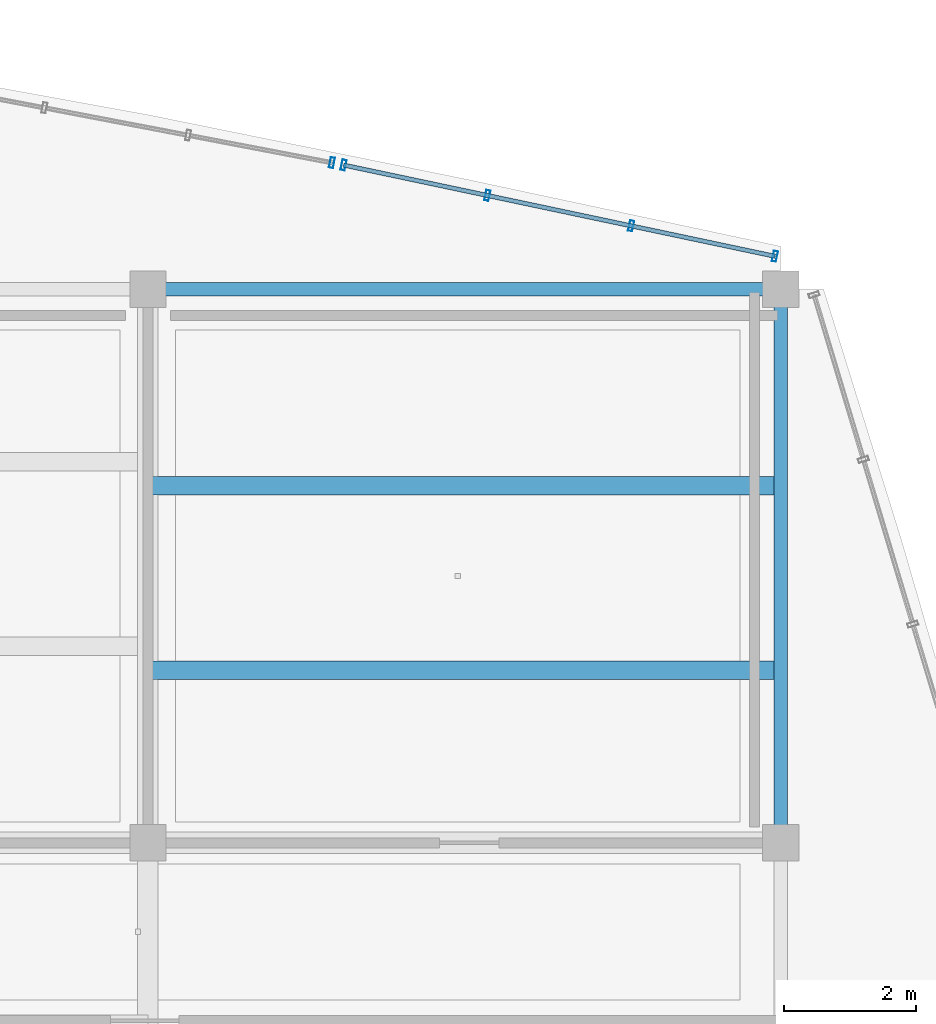
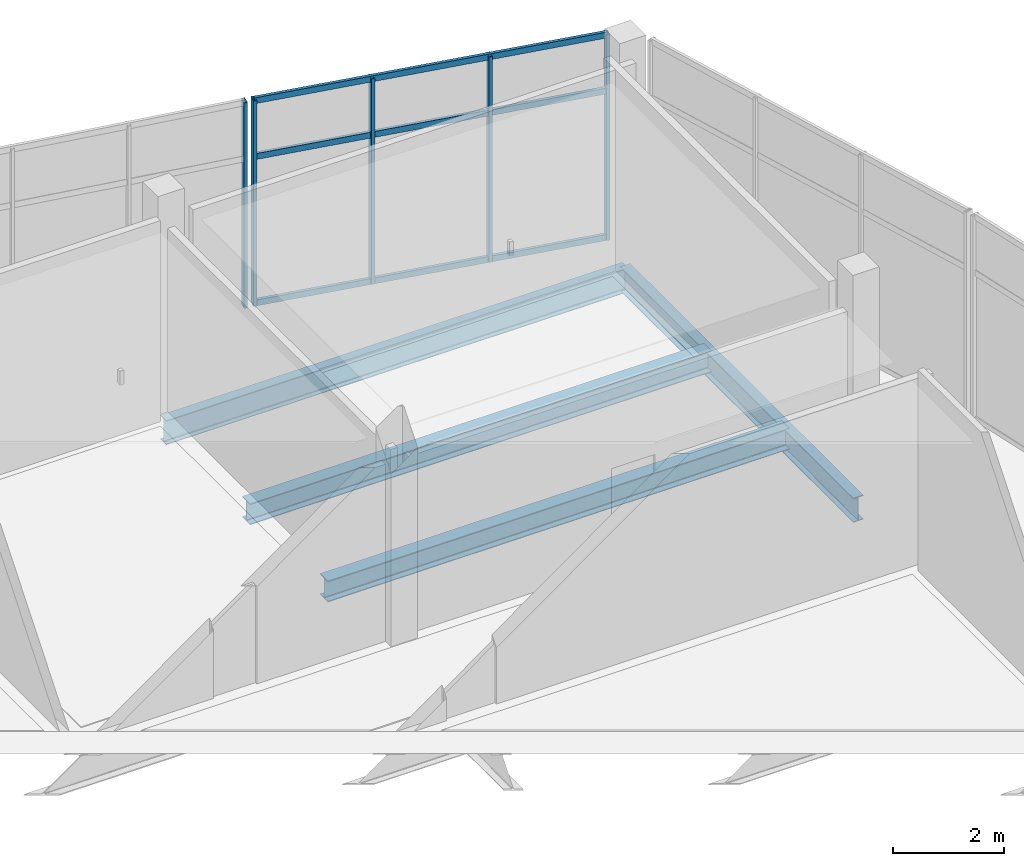
# One storey, part 105 of 157: 8 members, 4 beams, 2 elements without a shape of their own.
"""IFC4 building model written with IfcOpenShell, lengths in metres."""

from ifc_helpers import new_model, si_unit, direction, frame, origin, origin_2d, place, context, subcontext, project, spatial, hollow_rectangle, i_section, extrude, material, layer, layer_set, material_profile, profile_set, type_object, element, aggregate, save


model = new_model("IFC4")

# Units and contexts
model_context = context("Model", 3, precision=1e-05, world=origin(), true_north=direction((0.0, 1.0)))
body_context = subcontext(model_context, "Body", "Model", "MODEL_VIEW")
ifc_project = project(units=[si_unit("LENGTHUNIT", "METRE"), si_unit("AREAUNIT", "SQUARE_METRE"), si_unit("VOLUMEUNIT", "CUBIC_METRE"), si_unit("PLANEANGLEUNIT", "RADIAN"), si_unit("MASSUNIT", "GRAM", prefix="KILO")], contexts=[model_context])

# Site, building, storey
site_placement = place(None, origin())
site = spatial("IfcSite", under=ifc_project, at=site_placement, CompositionType="ELEMENT")
building_placement = place(site_placement, origin())
building = spatial("IfcBuilding", under=site, at=building_placement, Name="Chalmorin Arch Market", CompositionType="ELEMENT")
storey_placement = place(building_placement, frame((0.0, 0.0, 4.800048828125)))
storey = spatial("IfcBuildingStorey", under=building, at=storey_placement, Name="L01", CompositionType="ELEMENT", Elevation=4.800048828125)

# Curtain wall, member
ifc_material_1 = material(Name="Aluminium 6063-T6", Category="aluminium")
ifc_layer_1 = layer(ifc_material_1, 0.159912109375)
ifc_layer_set_1 = layer_set([ifc_layer_1], Name="Aluminium 6063-T6")
curtain_wall_type_1 = type_object("IfcCurtainWallType", Name="CulinaryStudioCurtainWall-CW3-6660x4520", PredefinedType="NOTDEFINED", material=ifc_layer_set_1)
curtain_wall_1_placement = place(storey_placement, origin())
curtain_wall_1 = element("IfcCurtainWall", 1, at=curtain_wall_1_placement, inside=storey, type_object=curtain_wall_type_1, Name="CW-03-145", PredefinedType="NOTDEFINED")
ifc_material_profile_1 = material_profile(ifc_material_1, hollow_rectangle(XDim=0.06494140625, YDim=0.159912109375, WallThickness=0.00390625, at=origin_2d()), Name="ALU65X160X4")
ifc_profile_set_1 = profile_set([ifc_material_profile_1], Name="Aluminium 6063-T6")
member_type_1 = type_object("IfcMemberType", Name="CurtainWallMullion-65x160", PredefinedType="MULLION", material=ifc_profile_set_1)
member_1_placement = place(storey_placement, frame((108.3916015625, 119.91796875, 0.0), z_axis=(0.0, 0.0, 1.0), x_axis=(0.981627183448, -0.190808995377, 0.0)))
member_1 = element("IfcMember", 2, at=member_1_placement, type_object=member_type_1, Name="ML-145-04", PredefinedType="MULLION", context=body_context, shape_type="SweptSolid", body=[
    extrude(hollow_rectangle(XDim=0.06494140625, YDim=0.159912109375, WallThickness=0.00390625, at=origin_2d()), origin(), (0.0, 0.0, 1.0), 4.52001953125),
])
aggregate(curtain_wall_1, [member_1])

# Curtain wall, members
ifc_layer_2 = layer(ifc_material_1, 0.159912109375)
ifc_layer_set_2 = layer_set([ifc_layer_2], Name="Aluminium 6063-T6")
curtain_wall_type_2 = type_object("IfcCurtainWallType", Name="CulinaryStudioCurtainWall-CW3-6690x4520", PredefinedType="NOTDEFINED", material=ifc_layer_set_2)
curtain_wall_2_placement = place(storey_placement, origin())
curtain_wall_2 = element("IfcCurtainWall", 3, at=curtain_wall_2_placement, inside=storey, type_object=curtain_wall_type_2, Name="CW-03-148", PredefinedType="NOTDEFINED")
member_2_placement = place(storey_placement, frame((108.568115234375, 119.88232421875, 0.0), z_axis=(0.0, 0.0, 1.0), x_axis=(0.978147600734, -0.207911690818, 0.0)))
member_2 = element("IfcMember", 4, at=member_2_placement, type_object=member_type_1, Name="ML-148-01", PredefinedType="MULLION", context=body_context, shape_type="SweptSolid", body=[
    extrude(hollow_rectangle(XDim=0.06494140625, YDim=0.159912109375, WallThickness=0.00390625, at=origin_2d()), origin(), (0.0, 0.0, 1.0), 4.52001953125),
])
member_3_placement = place(storey_placement, frame((110.74951171875, 119.421142578125, 0.0), z_axis=(0.0, 0.0, 1.0), x_axis=(0.978147600734, -0.207911690818, 0.0)))
member_3 = element("IfcMember", 5, at=member_3_placement, type_object=member_type_1, Name="ML-148-02", PredefinedType="MULLION", context=body_context, shape_type="SweptSolid", body=[
    extrude(hollow_rectangle(XDim=0.06494140625, YDim=0.159912109375, WallThickness=0.00390625, at=origin_2d()), origin(), (0.0, 0.0, 1.0), 4.52001953125),
])
member_4_placement = place(storey_placement, frame((112.9306640625, 118.9599609375, 0.0), z_axis=(0.0, 0.0, 1.0), x_axis=(0.978147600734, -0.207911690818, 0.0)))
member_4 = element("IfcMember", 6, at=member_4_placement, type_object=member_type_1, Name="ML-148-03", PredefinedType="MULLION", context=body_context, shape_type="SweptSolid", body=[
    extrude(hollow_rectangle(XDim=0.06494140625, YDim=0.159912109375, WallThickness=0.00390625, at=origin_2d()), origin(), (0.0, 0.0, 1.0), 4.52001953125),
])
member_5_placement = place(storey_placement, frame((115.11181640625, 118.49853515625, 0.0), z_axis=(0.0, 0.0, 1.0), x_axis=(0.978147600734, -0.207911690818, 0.0)))
member_5 = element("IfcMember", 7, at=member_5_placement, type_object=member_type_1, Name="ML-148-04", PredefinedType="MULLION", context=body_context, shape_type="SweptSolid", body=[
    extrude(hollow_rectangle(XDim=0.06494140625, YDim=0.159912109375, WallThickness=0.00390625, at=origin_2d()), origin(), (0.0, 0.0, 1.0), 4.52001953125),
])
ifc_material_profile_2 = material_profile(ifc_material_1, hollow_rectangle(XDim=0.06494140625, YDim=0.1298828125, WallThickness=0.00390625, at=origin_2d()), Name="ALU65X130X4")
ifc_profile_set_2 = profile_set([ifc_material_profile_2], Name="Aluminium 6063-T6")
member_type_2 = type_object("IfcMemberType", Name="CurtainWallTransom-65x130", PredefinedType="USERDEFINED", material=ifc_profile_set_2)
member_6_placement = place(storey_placement, frame((108.568115234375, 119.88232421875, 0.034912109375), z_axis=(0.978363487727, -0.206893416723, 0.0), x_axis=(0.206893416723, 0.978363487727, 0.0)))
member_6 = element("IfcMember", 8, at=member_6_placement, type_object=member_type_2, Name="TR-148-01", ObjectType="TRANSOM", PredefinedType="USERDEFINED", context=body_context, shape_type="SweptSolid", body=[
    extrude(hollow_rectangle(XDim=0.06494140625, YDim=0.1298828125, WallThickness=0.00390625, at=origin_2d()), origin(), (0.0, 0.0, 1.0), 6.6884765625),
])
member_7_placement = place(storey_placement, frame((108.568115234375, 119.88232421875, 3.25439453125), z_axis=(0.978363487727, -0.206893416723, 0.0), x_axis=(0.206893416723, 0.978363487727, 0.0)))
member_7 = element("IfcMember", 9, at=member_7_placement, type_object=member_type_2, Name="TR-148-02", ObjectType="TRANSOM", PredefinedType="USERDEFINED", context=body_context, shape_type="SweptSolid", body=[
    extrude(hollow_rectangle(XDim=0.06494140625, YDim=0.1298828125, WallThickness=0.00390625, at=origin_2d()), origin(), (0.0, 0.0, 1.0), 6.6884765625),
])
member_8_placement = place(storey_placement, frame((108.568115234375, 119.88232421875, 4.48486328125), z_axis=(0.978363487727, -0.206893416723, 0.0), x_axis=(0.206893416723, 0.978363487727, 0.0)))
member_8 = element("IfcMember", 10, at=member_8_placement, type_object=member_type_2, Name="TR-148-03", ObjectType="TRANSOM", PredefinedType="USERDEFINED", context=body_context, shape_type="SweptSolid", body=[
    extrude(hollow_rectangle(XDim=0.06494140625, YDim=0.1298828125, WallThickness=0.00390625, at=origin_2d()), origin(), (0.0, 0.0, 1.0), 6.6884765625),
])
aggregate(curtain_wall_2, [member_2, member_3, member_4, member_5, member_6, member_7, member_8])

# Beams
ifc_material_2 = material(Name="Steel A992 Grade 50", Category="steel")
ifc_material_profile_3 = material_profile(ifc_material_2, i_section(OverallWidth=0.208984375, OverallDepth=0.532958984375, WebThickness=0.01025390625, FlangeThickness=0.015625, FilletRadius=0.02197265625, at=origin_2d()), Name="W21X62")
ifc_profile_set_3 = profile_set([ifc_material_profile_3], Name="Steel A992 Grade 50")
beam_type_1 = type_object("IfcBeamType", Name="PerimeterSpandrelBeam-W21X62", PredefinedType="SPANDREL", material=ifc_profile_set_3)
beam_1_placement = place(storey_placement, frame((105.60009765625, 118.0, -0.588623046875), z_axis=(1.0, 0.0, 0.0), x_axis=(0.0, 1.0, 0.0)))
element("IfcBeam", 11, at=beam_1_placement, inside=storey, type_object=beam_type_1, Name="SP-W21-0958", PredefinedType="SPANDREL", context=body_context, shape_type="SweptSolid", body=[
    extrude(i_section(OverallWidth=0.208984375, OverallDepth=0.532958984375, WebThickness=0.01025390625, FlangeThickness=0.015625, FilletRadius=0.02197265625, at=origin_2d()), origin(), (0.0, 0.0, 1.0), 9.599853515625),
])
beam_2_placement = place(storey_placement, frame((115.199951171875, 109.60009765625, -0.588623046875), z_axis=(0.0, 1.0, 0.0), x_axis=(-1.0, 0.0, 0.0)))
element("IfcBeam", 12, at=beam_2_placement, inside=storey, type_object=beam_type_1, Name="SP-W21-0959", PredefinedType="SPANDREL", context=body_context, shape_type="SweptSolid", body=[
    extrude(i_section(OverallWidth=0.208984375, OverallDepth=0.532958984375, WebThickness=0.01025390625, FlangeThickness=0.015625, FilletRadius=0.02197265625, at=origin_2d()), origin(), (0.0, 0.0, 1.0), 8.39990234375),
])
ifc_material_profile_4 = material_profile(ifc_material_2, i_section(OverallWidth=0.280029296875, OverallDepth=0.462890625, WebThickness=0.0107421875, FlangeThickness=0.017333984375, FilletRadius=0.02001953125, at=origin_2d()), Name="W18X76")
ifc_profile_set_4 = profile_set([ifc_material_profile_4], Name="Steel A992 Grade 50")
beam_type_2 = type_object("IfcBeamType", Name="WorkshopSteelBeam-W18X76", PredefinedType="BEAM", material=ifc_profile_set_4)
for number, where, z_axis, x_axis, name in (
    (13, (105.60009765625, 112.219970703125, -0.553466796875), (1.0, 0.0, 0.0), (0.0, 1.0, 0.0), "BM-W18C-1022"),
    (14, (105.60009765625, 115.02001953125, -0.553466796875), (1.0, 0.0, 0.0), (0.0, 1.0, 0.0), "BM-W18C-1023"),
):
    element("IfcBeam", number, at=place(storey_placement, frame(where, z_axis=z_axis, x_axis=x_axis)), inside=storey, type_object=beam_type_2, Name=name, PredefinedType="BEAM", context=body_context, shape_type="SweptSolid", body=[
        extrude(i_section(OverallWidth=0.280029296875, OverallDepth=0.462890625, WebThickness=0.0107421875, FlangeThickness=0.017333984375, FilletRadius=0.02001953125, at=origin_2d()), origin(), (0.0, 0.0, 1.0), 9.599853515625),
    ])

save(model, "model.ifc")
